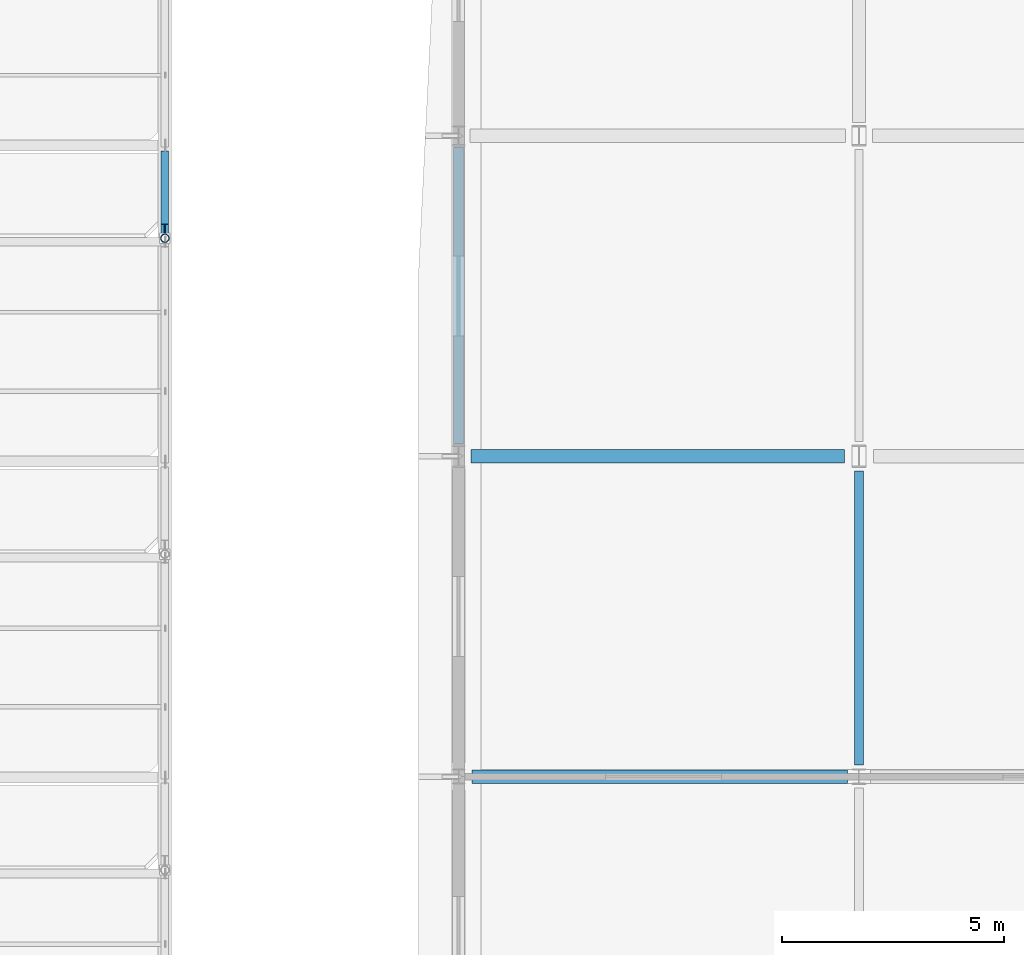
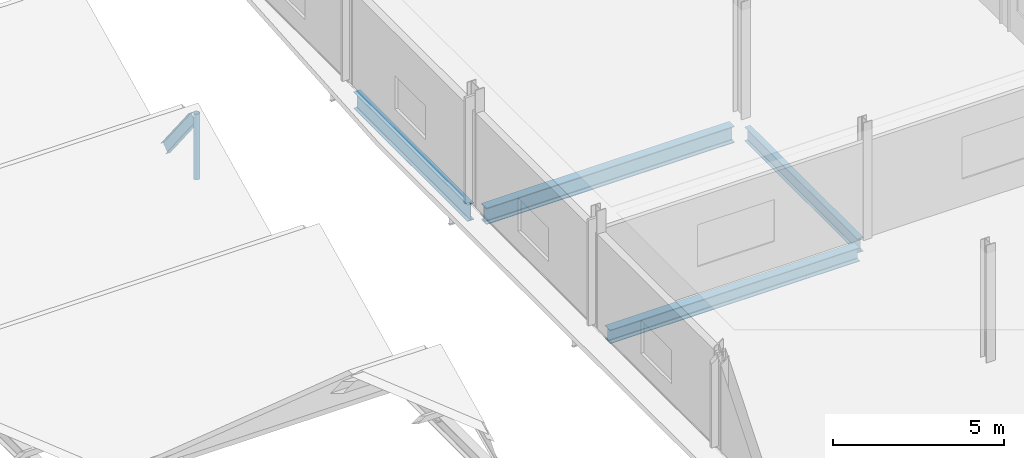
# One storey, part 85 of 138: 5 beams, 1 member.
"""IFC4 building model written with IfcOpenShell, lengths in metres."""

from ifc_helpers import new_model, si_unit, direction, frame, origin, origin_2d, place, context, subcontext, project, spatial, hollow_circle, i_section, extrude, material, material_profile, profile_set, type_object, element, save


model = new_model("IFC4")

# Units and contexts
model_context = context("Model", 3, precision=1e-05, world=origin(), true_north=direction((0.0, 1.0)))
body_context = subcontext(model_context, "Body", "Model", "MODEL_VIEW")
ifc_project = project(units=[si_unit("LENGTHUNIT", "METRE"), si_unit("AREAUNIT", "SQUARE_METRE"), si_unit("VOLUMEUNIT", "CUBIC_METRE"), si_unit("PLANEANGLEUNIT", "RADIAN"), si_unit("MASSUNIT", "GRAM", prefix="KILO")], contexts=[model_context])

# Site, building, storey
site_placement = place(None, origin())
site = spatial("IfcSite", under=ifc_project, at=site_placement, CompositionType="ELEMENT")
building_placement = place(site_placement, origin())
building = spatial("IfcBuilding", under=site, at=building_placement, Name="Vinh Khe Railworks Police Headquarters", CompositionType="ELEMENT")
storey_placement = place(building_placement, frame((0.0, 0.0, 9.0)))
storey = spatial("IfcBuildingStorey", under=building, at=storey_placement, Name="L02", CompositionType="ELEMENT", Elevation=9.0)

# Member
ifc_material = material(Name="Steel S355JR", Category="steel")
ifc_material_profile_1 = material_profile(ifc_material, hollow_circle(Radius=0.096923828125, WallThickness=0.010009765625, at=origin_2d()), Name="CHS 193.7x10")
ifc_profile_set_1 = profile_set([ifc_material_profile_1], Name="Steel S355JR")
member_type = type_object("IfcMemberType", Name="Roof Strut CHS 193.7x10", PredefinedType="STRUT", material=ifc_profile_set_1)
member_placement = place(storey_placement, frame((71.39990234375, 157.300048828125, 0.199951171875), z_axis=(0.0, 0.0, 1.0), x_axis=(1.0, 0.0, 0.0)))
element("IfcMember", 1, at=member_placement, inside=storey, type_object=member_type, Name="Sawtooth Ridge Post 3", PredefinedType="STRUT", context=body_context, shape_type="SweptSolid", body=[
    extrude(hollow_circle(Radius=0.096923828125, WallThickness=0.010009765625, at=origin_2d()), origin(), (0.0, 0.0, 1.0), 2.35009765625),
])

# Beams
ifc_material_profile_2 = material_profile(ifc_material, i_section(OverallWidth=0.300048828125, OverallDepth=0.489990234375, WebThickness=0.011962890625, FlangeThickness=0.02294921875, FilletRadius=0.027099609375, at=origin_2d()), Name="HEA 500")
ifc_profile_set_2 = profile_set([ifc_material_profile_2], Name="Steel S355JR")
beam_type_1 = type_object("IfcBeamType", Name="Steel Girder HEA 500", PredefinedType="BEAM", material=ifc_profile_set_2)
beam_1_placement = place(storey_placement, frame((78.304931640625, 145.199951171875, -0.465087890625), z_axis=(1.0, 0.0, 0.0), x_axis=(0.0, 1.0, 0.0)))
element("IfcBeam", 2, at=beam_1_placement, inside=storey, type_object=beam_type_1, Name="Girder BM-L02-EW-SB-12-0855", PredefinedType="BEAM", context=body_context, shape_type="SweptSolid", body=[
    extrude(i_section(OverallWidth=0.300048828125, OverallDepth=0.489990234375, WebThickness=0.011962890625, FlangeThickness=0.02294921875, FilletRadius=0.027099609375, at=origin_2d()), origin(), (0.0, 0.0, 1.0), 8.440185546875),
])
ifc_material_profile_3 = material_profile(ifc_material, i_section(OverallWidth=0.300048828125, OverallDepth=0.590087890625, WebThickness=0.012939453125, FlangeThickness=0.02490234375, FilletRadius=0.027099609375, at=origin_2d()), Name="HEA 600")
ifc_profile_set_3 = profile_set([ifc_material_profile_3], Name="Steel S355JR")
beam_type_2 = type_object("IfcBeamType", Name="Steel Girder HEA 600", PredefinedType="BEAM", material=ifc_profile_set_3)
beam_2_placement = place(storey_placement, frame((78.280029296875, 152.39990234375, -0.514892578125), z_axis=(1.0, 0.0, 0.0), x_axis=(0.0, 1.0, 0.0)))
element("IfcBeam", 3, at=beam_2_placement, inside=storey, type_object=beam_type_2, Name="Girder BM-L02-EW-SB-10-0859", PredefinedType="BEAM", context=body_context, shape_type="SweptSolid", body=[
    extrude(i_section(OverallWidth=0.300048828125, OverallDepth=0.590087890625, WebThickness=0.012939453125, FlangeThickness=0.02490234375, FilletRadius=0.027099609375, at=origin_2d()), origin(), (0.0, 0.0, 1.0), 8.389892578125),
])
ifc_material_profile_4 = material_profile(ifc_material, i_section(OverallWidth=0.169921875, OverallDepth=0.360107421875, WebThickness=0.008056640625, FlangeThickness=0.0126953125, FilletRadius=0.01806640625, at=origin_2d()), Name="IPE 360")
ifc_profile_set_4 = profile_set([ifc_material_profile_4], Name="Steel S355JR")
beam_type_3 = type_object("IfcBeamType", Name="Steel Girder IPE 360", PredefinedType="BEAM", material=ifc_profile_set_4)
beam_3_placement = place(storey_placement, frame((71.39990234375, 157.47998046875, 2.25), z_axis=(0.0, 0.621013068577, -0.783800209656), x_axis=(-1.0, 0.0, 0.0)))
element("IfcBeam", 4, at=beam_3_placement, inside=storey, type_object=beam_type_3, Name="Sawtooth Clerestory Girder 3N", PredefinedType="BEAM", context=body_context, shape_type="SweptSolid", body=[
    extrude(i_section(OverallWidth=0.169921875, OverallDepth=0.360107421875, WebThickness=0.008056640625, FlangeThickness=0.0126953125, FilletRadius=0.01806640625, at=origin_2d()), origin(), (0.0, 0.0, 1.0), 2.64111328125),
])
ifc_material_profile_5 = material_profile(ifc_material, i_section(OverallWidth=0.199951171875, OverallDepth=0.5, WebThickness=0.01025390625, FlangeThickness=0.01611328125, FilletRadius=0.02099609375, at=origin_2d()), Name="IPE 500")
ifc_profile_set_5 = profile_set([ifc_material_profile_5], Name="Steel S355JR")
beam_type_4 = type_object("IfcBeamType", Name="Steel Girder IPE 500", PredefinedType="BEAM", material=ifc_profile_set_5)
beam_4_placement = place(storey_placement, frame((87.0, 145.455078125, -0.469970703125), z_axis=(0.0, 1.0, 0.0), x_axis=(-1.0, 0.0, 0.0)))
element("IfcBeam", 5, at=beam_4_placement, inside=storey, type_object=beam_type_4, Name="Girder BM-L02-NS-SB-19-0989", PredefinedType="BEAM", context=body_context, shape_type="SweptSolid", body=[
    extrude(i_section(OverallWidth=0.199951171875, OverallDepth=0.5, WebThickness=0.01025390625, FlangeThickness=0.01611328125, FilletRadius=0.02099609375, at=origin_2d()), origin(), (0.0, 0.0, 1.0), 6.614990234375),
])
ifc_material_profile_6 = material_profile(ifc_material, i_section(OverallWidth=0.219970703125, OverallDepth=0.60009765625, WebThickness=0.011962890625, FlangeThickness=0.01904296875, FilletRadius=0.02392578125, at=origin_2d()), Name="IPE 600")
ifc_profile_set_6 = profile_set([ifc_material_profile_6], Name="Steel S355JR")
beam_type_5 = type_object("IfcBeamType", Name="Steel Girder IPE 600", PredefinedType="BEAM", material=ifc_profile_set_6)
beam_5_placement = place(storey_placement, frame((78.0, 152.679931640625, -0.52001953125), z_axis=(0.0, 1.0, 0.0), x_axis=(-1.0, 0.0, 0.0)))
element("IfcBeam", 6, at=beam_5_placement, inside=storey, type_object=beam_type_5, Name="Girder BM-L02-NS-SB-17-0981", PredefinedType="BEAM", context=body_context, shape_type="SweptSolid", body=[
    extrude(i_section(OverallWidth=0.219970703125, OverallDepth=0.60009765625, WebThickness=0.011962890625, FlangeThickness=0.01904296875, FilletRadius=0.02392578125, at=origin_2d()), origin(), (0.0, 0.0, 1.0), 6.6650390625),
])

save(model, "model.ifc")
